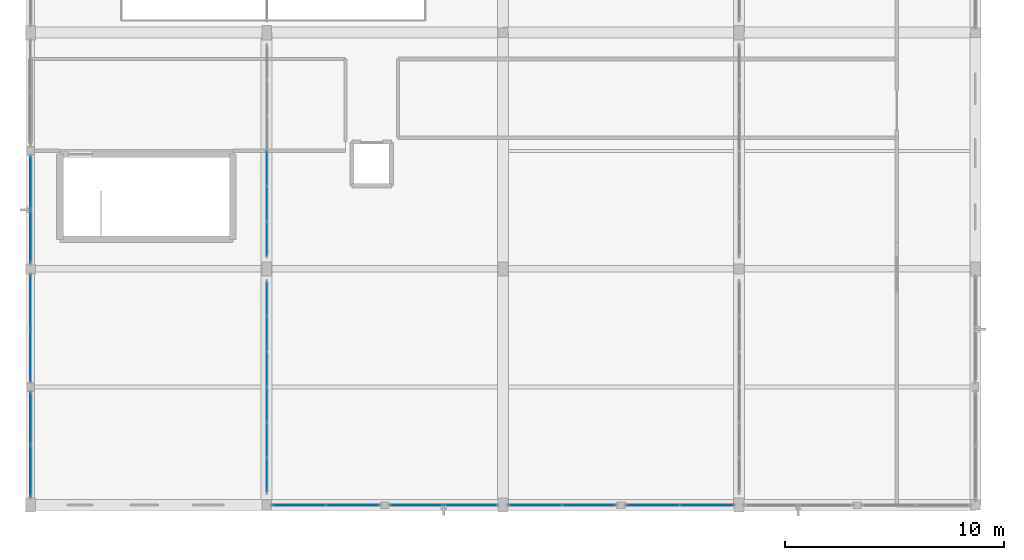
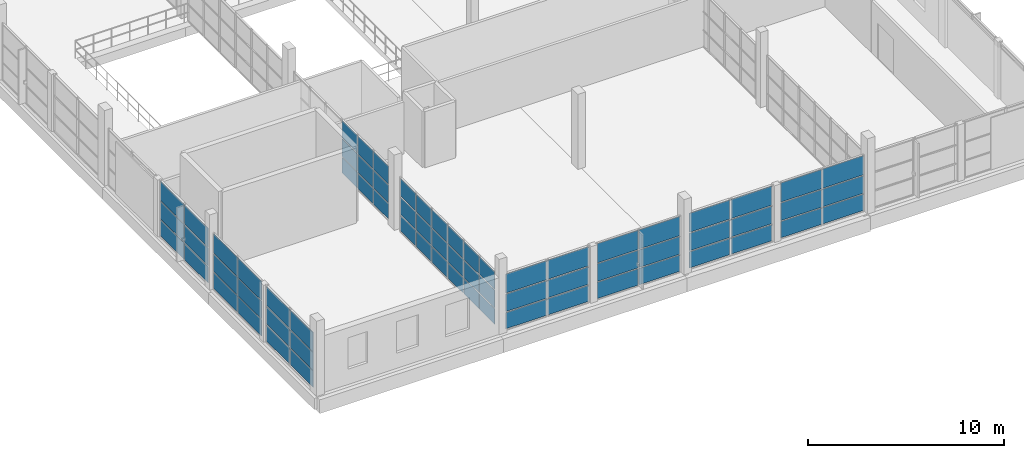
# One storey, part 80 of 142: 69 plates, 9 elements without a shape of their own.
"""IFC4 building model written with IfcOpenShell, lengths in metres."""

import ifcopenshell
import ifcopenshell.guid

model = None  # the IFC model being written
_history = None  # IfcOwnerHistory: only IFC2X3 demands one
_inside = {}  # id of a spatial element -> (the spatial element, [elements in it])
_under = {}  # id of a project, library or spatial element -> (it, [spatial elements below it])
_declared = {}  # id of a project -> (the project, [libraries it declares])
_typed = {}  # id of a type object -> (the type object, [elements of that type])
_made_of = {}  # id of a material, layer set ... -> (it, [elements and type objects made of it])


def new_model(schema):
    """Start an empty IFC model of exactly this schema.

    Asked for "IFC4X3", IfcOpenShell would pick the latest addendum, in which some entities
    have other attributes; the version numbers below select the first issue.
    IFC2X3 requires an IfcOwnerHistory on every rooted entity: one is made here for all.
    """
    global model, _history
    if schema == "IFC4X3":
        model = ifcopenshell.file(schema_version=(4, 3, 0, 0))
    else:
        model = ifcopenshell.file(schema=schema)
    _inside.clear()
    _under.clear()
    _declared.clear()
    _typed.clear()
    _made_of.clear()
    _history = None
    if model.schema == "IFC2X3":
        org = make("IfcOrganization", Name="unknown")
        user = make(
            "IfcPersonAndOrganization",
            ThePerson=make("IfcPerson", FamilyName="unknown"),
            TheOrganization=org,
        )
        app = make(
            "IfcApplication",
            ApplicationDeveloper=org,
            Version="unknown",
            ApplicationFullName="unknown",
            ApplicationIdentifier="unknown",
        )
        _history = make(
            "IfcOwnerHistory",
            OwningUser=user,
            OwningApplication=app,
            ChangeAction="ADDED",
            CreationDate=0,
        )
    return model


def make(cls, **values):
    """One entity of the class cls with the attributes given. An attribute that is None is left unset."""
    return model.create_entity(
        cls, **{name: value for name, value in values.items() if value is not None}
    )


def rooted(cls, **values):
    """An entity with a GlobalId (a new one), such as an element, a storey or a relation."""
    return make(cls, GlobalId=ifcopenshell.guid.new(), OwnerHistory=_history, **values)


def si_unit(unit_type, name, prefix=None):
    """IfcSIUnit, for example si_unit("LENGTHUNIT", "METRE", prefix="MILLI")."""
    return make("IfcSIUnit", UnitType=unit_type, Prefix=prefix, Name=name)


def assignment(units):
    """IfcUnitAssignment: the units of a project."""
    return None if units is None else make("IfcUnitAssignment", Units=units)


def point(xyz):
    """IfcCartesianPoint."""
    return None if xyz is None else make("IfcCartesianPoint", Coordinates=xyz)


def direction(xyz):
    """IfcDirection."""
    return None if xyz is None else make("IfcDirection", DirectionRatios=xyz)


def frame(location, z_axis=None, x_axis=None):
    """IfcAxis2Placement3D, a coordinate frame: its origin and axes. An axis left out is left unset."""
    return make(
        "IfcAxis2Placement3D",
        Location=point(location),
        Axis=direction(z_axis),
        RefDirection=direction(x_axis),
    )


def frame_2d(location, x_axis=None):
    """IfcAxis2Placement2D, a coordinate frame in the plane: its origin and x axis."""
    return make(
        "IfcAxis2Placement2D", Location=point(location), RefDirection=direction(x_axis)
    )


def origin():
    """The frame at (0, 0, 0) with its axes left unset."""
    return frame((0.0, 0.0, 0.0))


def origin_2d():
    """The frame at (0, 0) in the plane with its x axis left unset."""
    return frame_2d((0.0, 0.0))


def place(relative_to, where):
    """IfcLocalPlacement: puts the frame where relative to a parent placement (None: the world)."""
    return make(
        "IfcLocalPlacement", PlacementRelTo=relative_to, RelativePlacement=where
    )


def context(
    kind, dimensions, precision=None, world=None, true_north=None, identifier=None
):
    """IfcGeometricRepresentationContext, for example the 3D "Model" context."""
    return make(
        "IfcGeometricRepresentationContext",
        ContextIdentifier=identifier,
        ContextType=kind,
        CoordinateSpaceDimension=dimensions,
        Precision=precision,
        WorldCoordinateSystem=world,
        TrueNorth=true_north,
    )


def subcontext(parent, identifier, kind, view, scale=None):
    """IfcGeometricRepresentationSubContext, for example "Body" below "Model"."""
    return make(
        "IfcGeometricRepresentationSubContext",
        ContextIdentifier=identifier,
        ContextType=kind,
        ParentContext=parent,
        TargetScale=scale,
        TargetView=view,
    )


def project(units=None, contexts=None):
    """IfcProject with its units and contexts."""
    return rooted(
        "IfcProject",
        Name="project",
        RepresentationContexts=contexts,
        UnitsInContext=assignment(units),
    )


def spatial(cls, under=None, at=None, **own):
    """A site, building, storey or space (cls), placed at a placement, below another one or the project."""
    s = rooted(cls, ObjectPlacement=at, **own)
    if under is not None:
        _under.setdefault(under.id(), (under, []))[1].append(s)
    return s


def profile(cls, at=None, kind="AREA", **sizes):
    """A parametric profile (cls). Its sizes go by their IFC names, for example OverallWidth=200.0."""
    return make(cls, ProfileType=kind, Position=at, **sizes)


def rectangle(**sizes):
    """IfcRectangleProfileDef."""
    return profile("IfcRectangleProfileDef", **sizes)


def extrude(swept, where, along, depth):
    """IfcExtrudedAreaSolid: the profile swept, set in the frame where, extruded along a direction by depth."""
    return make(
        "IfcExtrudedAreaSolid",
        SweptArea=swept,
        Position=where,
        ExtrudedDirection=direction(along),
        Depth=depth,
    )


def shape(context_of_items, identifier, shape_type, items):
    """IfcShapeRepresentation: the items that make up one representation, for example the "Body"."""
    return make(
        "IfcShapeRepresentation",
        ContextOfItems=context_of_items,
        RepresentationIdentifier=identifier,
        RepresentationType=shape_type,
        Items=items,
    )


def material(Name=None, Category=None):
    """IfcMaterial."""
    return make("IfcMaterial", Name=Name, Category=Category)


def layer(
    of_material, thickness, ventilated=None, Name=None, Category=None, Priority=None
):
    """IfcMaterialLayer: one layer of a wall or slab, of a material (None: an air gap)."""
    return make(
        "IfcMaterialLayer",
        Material=of_material,
        LayerThickness=thickness,
        IsVentilated=ventilated,
        Name=Name,
        Category=Category,
        Priority=Priority,
    )


def layer_set(layers, Name=None):
    """IfcMaterialLayerSet."""
    return make("IfcMaterialLayerSet", MaterialLayers=layers, LayerSetName=Name)


def made_of(thing, what):
    """Note that an element or type object is made of a material, layer set ...; save() writes the relation."""
    if what is not None:
        _made_of.setdefault(what.id(), (what, []))[1].append(thing)
    return thing


def type_object(cls, material=None, **own):
    """A type object (cls), such as IfcWallType, which elements share."""
    return made_of(rooted(cls, **own), material)


def element(
    cls,
    number,
    at=None,
    inside=None,
    cuts=None,
    type_object=None,
    material=None,
    context=None,
    identifier="Body",
    shape_type=None,
    held_by="IfcProductDefinitionShape",
    body=None,
    shapes=None,
    **own,
):
    """One element of the class cls, such as IfcWall. Its Tag is "e" and its number.

    at: its placement. inside: the storey or other place that contains it. cuts: it is an
    opening in that element (IfcRelVoidsElement). A single representation is given by context,
    identifier, shape_type and body (its items); several are given by shapes. held_by: the class
    of the entity that holds the representations. save() writes the other relations.
    """
    e = rooted(cls, Tag="e%d" % number, ObjectPlacement=at, **own)
    if body is not None:
        shapes = [shape(context, identifier, shape_type, body)]
    if shapes is not None:
        e.Representation = make(held_by, Representations=shapes)
    if inside is not None:
        _inside.setdefault(inside.id(), (inside, []))[1].append(e)
    if cuts is not None:
        rooted(
            "IfcRelVoidsElement", RelatingBuildingElement=cuts, RelatedOpeningElement=e
        )
    if type_object is not None:
        _typed.setdefault(type_object.id(), (type_object, []))[1].append(e)
    return made_of(e, material)


def aggregate(whole, parts):
    """IfcRelAggregates: a whole, such as a stair, and the parts it consists of."""
    return rooted("IfcRelAggregates", RelatingObject=whole, RelatedObjects=parts)


def save(model, path):
    """Write the relations noted so far, then the file.

    IfcRelAggregates (storeys below a building ...), IfcRelContainedInSpatialStructure (elements
    in a storey), IfcRelDefinesByType, IfcRelAssociatesMaterial and IfcRelDeclares: one each for
    every whole, place, type object, material and project.
    """
    for whole, parts in _under.values():
        aggregate(whole, parts)
    for where, things in _inside.values():
        rooted(
            "IfcRelContainedInSpatialStructure",
            RelatedElements=things,
            RelatingStructure=where,
        )
    for kind, things in _typed.values():
        rooted("IfcRelDefinesByType", RelatedObjects=things, RelatingType=kind)
    for what, things in _made_of.values():
        rooted("IfcRelAssociatesMaterial", RelatedObjects=things, RelatingMaterial=what)
    for by, libraries in _declared.values():
        rooted("IfcRelDeclares", RelatingContext=by, RelatedDefinitions=libraries)
    model.write(path)


model = new_model("IFC4")

# Units and contexts
model_context = context("Model", 3, precision=1e-05, world=origin(), true_north=direction((0.0, 1.0)))
body_context = subcontext(model_context, "Body", "Model", "MODEL_VIEW")
ifc_project = project(units=[si_unit("LENGTHUNIT", "METRE"), si_unit("AREAUNIT", "SQUARE_METRE"), si_unit("VOLUMEUNIT", "CUBIC_METRE"), si_unit("PLANEANGLEUNIT", "RADIAN"), si_unit("MASSUNIT", "GRAM", prefix="KILO")], contexts=[model_context])

# Site, building, storey
site_placement = place(None, origin())
site = spatial("IfcSite", under=ifc_project, at=site_placement, CompositionType="ELEMENT")
building_placement = place(site_placement, origin())
building = spatial("IfcBuilding", under=site, at=building_placement, Name="Zwinboog Wholesale Market", CompositionType="ELEMENT")
storey_placement = place(building_placement, frame((0.0, 0.0, 5.39990234375)))
storey = spatial("IfcBuildingStorey", under=building, at=storey_placement, Name="L01", CompositionType="ELEMENT", Elevation=5.39990234375)

# Curtain wall, plates
ifc_material_1 = material(Name="Aluminium thermally broken curtain wall", Category="aluminium")
curtain_wall_type_1 = type_object("IfcCurtainWallType", Name="CWT-STALL-18", PredefinedType="USERDEFINED", material=ifc_material_1)
curtain_wall_1_placement = place(storey_placement, origin())
curtain_wall_1 = element("IfcCurtainWall", 1, at=curtain_wall_1_placement, inside=storey, type_object=curtain_wall_type_1, Name="CW-01 (CW-L01-049)", ObjectType="STOREFRONT_GLAZING", PredefinedType="USERDEFINED")
ifc_material_2 = material(Name="Double low-e insulated glazing", Category="glass")
ifc_layer_1 = layer(ifc_material_2, 0.031982421875)
ifc_layer_set_1 = layer_set([ifc_layer_1], Name="Double low-e insulated glazing")
plate_type_1 = type_object("IfcPlateType", Name="CWP-IGU-32", PredefinedType="CURTAIN_PANEL", material=ifc_layer_set_1)
plate_1_placement = place(storey_placement, frame((0.0, 1.55615234375, 0.065185546875), z_axis=(0.0, 0.0, 1.0), x_axis=(0.0, 1.0, 0.0)))
plate_1 = element("IfcPlate", 2, at=plate_1_placement, type_object=plate_type_1, Name="CW-01 panel 1.1", PredefinedType="CURTAIN_PANEL", context=body_context, shape_type="SweptSolid", body=[
    extrude(rectangle(XDim=2.342529296875, YDim=0.031982421875, at=origin_2d()), origin(), (0.0, 0.0, 1.0), 1.00244140625),
])
plate_2_placement = place(storey_placement, frame((0.0, 1.55615234375, 1.132568359375), z_axis=(0.0, 0.0, 1.0), x_axis=(0.0, 1.0, 0.0)))
plate_2 = element("IfcPlate", 3, at=plate_2_placement, type_object=plate_type_1, Name="CW-01 panel 1.2", PredefinedType="CURTAIN_PANEL", context=body_context, shape_type="SweptSolid", body=[
    extrude(rectangle(XDim=2.342529296875, YDim=0.031982421875, at=origin_2d()), origin(), (0.0, 0.0, 1.0), 1.0849609375),
])
plate_3_placement = place(storey_placement, frame((0.0, 1.55615234375, 2.282470703125), z_axis=(0.0, 0.0, 1.0), x_axis=(0.0, 1.0, 0.0)))
plate_3 = element("IfcPlate", 4, at=plate_3_placement, type_object=plate_type_1, Name="CW-01 panel 1.3", PredefinedType="CURTAIN_PANEL", context=body_context, shape_type="SweptSolid", body=[
    extrude(rectangle(XDim=2.342529296875, YDim=0.031982421875, at=origin_2d()), origin(), (0.0, 0.0, 1.0), 1.1826171875),
])
plate_4_placement = place(storey_placement, frame((0.0, 3.9638671875, 0.065185546875), z_axis=(0.0, 0.0, 1.0), x_axis=(0.0, 1.0, 0.0)))
plate_4 = element("IfcPlate", 5, at=plate_4_placement, type_object=plate_type_1, Name="CW-01 panel 2.1", PredefinedType="CURTAIN_PANEL", context=body_context, shape_type="SweptSolid", body=[
    extrude(rectangle(XDim=2.342529296875, YDim=0.031982421875, at=origin_2d()), origin(), (0.0, 0.0, 1.0), 1.00244140625),
])
plate_5_placement = place(storey_placement, frame((0.0, 3.9638671875, 1.132568359375), z_axis=(0.0, 0.0, 1.0), x_axis=(0.0, 1.0, 0.0)))
plate_5 = element("IfcPlate", 6, at=plate_5_placement, type_object=plate_type_1, Name="CW-01 panel 2.2", PredefinedType="CURTAIN_PANEL", context=body_context, shape_type="SweptSolid", body=[
    extrude(rectangle(XDim=2.342529296875, YDim=0.031982421875, at=origin_2d()), origin(), (0.0, 0.0, 1.0), 1.0849609375),
])
plate_6_placement = place(storey_placement, frame((0.0, 3.9638671875, 2.282470703125), z_axis=(0.0, 0.0, 1.0), x_axis=(0.0, 1.0, 0.0)))
plate_6 = element("IfcPlate", 7, at=plate_6_placement, type_object=plate_type_1, Name="CW-01 panel 2.3", PredefinedType="CURTAIN_PANEL", context=body_context, shape_type="SweptSolid", body=[
    extrude(rectangle(XDim=2.342529296875, YDim=0.031982421875, at=origin_2d()), origin(), (0.0, 0.0, 1.0), 1.1826171875),
])
aggregate(curtain_wall_1, [plate_1, plate_2, plate_3, plate_4, plate_5, plate_6])

curtain_wall_type_2 = type_object("IfcCurtainWallType", Name="CWT-STALL-20", PredefinedType="USERDEFINED", material=ifc_material_1)
curtain_wall_2_placement = place(storey_placement, origin())
curtain_wall_2 = element("IfcCurtainWall", 8, at=curtain_wall_2_placement, inside=storey, type_object=curtain_wall_type_2, Name="CW-02 (CW-L01-050)", ObjectType="STOREFRONT_GLAZING", PredefinedType="USERDEFINED")
plate_7_placement = place(storey_placement, frame((0.0, 6.860107421875, 0.06005859375), z_axis=(0.0, 0.0, 1.0), x_axis=(0.0, 1.0, 0.0)))
plate_7 = element("IfcPlate", 9, at=plate_7_placement, type_object=plate_type_1, Name="CW-02 panel 1.1", PredefinedType="CURTAIN_PANEL", context=body_context, shape_type="SweptSolid", body=[
    extrude(rectangle(XDim=2.39990234375, YDim=0.031982421875, at=origin_2d()), origin(), (0.0, 0.0, 1.0), 1.010009765625),
])
plate_8_placement = place(storey_placement, frame((0.0, 6.860107421875, 1.1298828125), z_axis=(0.0, 0.0, 1.0), x_axis=(0.0, 1.0, 0.0)))
plate_8 = element("IfcPlate", 10, at=plate_8_placement, type_object=plate_type_1, Name="CW-02 panel 1.2", PredefinedType="CURTAIN_PANEL", context=body_context, shape_type="SweptSolid", body=[
    extrude(rectangle(XDim=2.39990234375, YDim=0.031982421875, at=origin_2d()), origin(), (0.0, 0.0, 1.0), 1.090087890625),
])
plate_9_placement = place(storey_placement, frame((0.0, 6.860107421875, 2.280029296875), z_axis=(0.0, 0.0, 1.0), x_axis=(0.0, 1.0, 0.0)))
plate_9 = element("IfcPlate", 11, at=plate_9_placement, type_object=plate_type_1, Name="CW-02 panel 1.3", PredefinedType="CURTAIN_PANEL", context=body_context, shape_type="SweptSolid", body=[
    extrude(rectangle(XDim=2.39990234375, YDim=0.031982421875, at=origin_2d()), origin(), (0.0, 0.0, 1.0), 1.18994140625),
])
plate_10_placement = place(storey_placement, frame((0.0, 9.320068359375, 0.06005859375), z_axis=(0.0, 0.0, 1.0), x_axis=(0.0, 1.0, 0.0)))
plate_10 = element("IfcPlate", 12, at=plate_10_placement, type_object=plate_type_1, Name="CW-02 panel 2.1", PredefinedType="CURTAIN_PANEL", context=body_context, shape_type="SweptSolid", body=[
    extrude(rectangle(XDim=2.39990234375, YDim=0.031982421875, at=origin_2d()), origin(), (0.0, 0.0, 1.0), 1.010009765625),
])
plate_11_placement = place(storey_placement, frame((0.0, 9.320068359375, 1.1298828125), z_axis=(0.0, 0.0, 1.0), x_axis=(0.0, 1.0, 0.0)))
plate_11 = element("IfcPlate", 13, at=plate_11_placement, type_object=plate_type_1, Name="CW-02 panel 2.2", PredefinedType="CURTAIN_PANEL", context=body_context, shape_type="SweptSolid", body=[
    extrude(rectangle(XDim=2.39990234375, YDim=0.031982421875, at=origin_2d()), origin(), (0.0, 0.0, 1.0), 1.090087890625),
])
plate_12_placement = place(storey_placement, frame((0.0, 9.320068359375, 2.280029296875), z_axis=(0.0, 0.0, 1.0), x_axis=(0.0, 1.0, 0.0)))
plate_12 = element("IfcPlate", 14, at=plate_12_placement, type_object=plate_type_1, Name="CW-02 panel 2.3", PredefinedType="CURTAIN_PANEL", context=body_context, shape_type="SweptSolid", body=[
    extrude(rectangle(XDim=2.39990234375, YDim=0.031982421875, at=origin_2d()), origin(), (0.0, 0.0, 1.0), 1.18994140625),
])
aggregate(curtain_wall_2, [plate_7, plate_8, plate_9, plate_10, plate_11, plate_12])

curtain_wall_type_3 = type_object("IfcCurtainWallType", Name="CWT-HALL-24", PredefinedType="USERDEFINED", material=ifc_material_1)
curtain_wall_3_placement = place(storey_placement, origin())
curtain_wall_3 = element("IfcCurtainWall", 15, at=curtain_wall_3_placement, inside=storey, type_object=curtain_wall_type_3, Name="CW-03 (CW-L01-051)", ObjectType="UNITIZED_CURTAIN_WALL", PredefinedType="USERDEFINED")
plate_13_placement = place(storey_placement, frame((0.0, 12.28125, 0.065185546875), z_axis=(0.0, 0.0, 1.0), x_axis=(0.0, 1.0, 0.0)))
plate_13 = element("IfcPlate", 16, at=plate_13_placement, type_object=plate_type_1, Name="CW-03 panel 1.1", PredefinedType="CURTAIN_PANEL", context=body_context, shape_type="SweptSolid", body=[
    extrude(rectangle(XDim=2.392578125, YDim=0.031982421875, at=origin_2d()), origin(), (0.0, 0.0, 1.0), 1.00244140625),
])
plate_14_placement = place(storey_placement, frame((0.0, 12.28125, 1.132568359375), z_axis=(0.0, 0.0, 1.0), x_axis=(0.0, 1.0, 0.0)))
plate_14 = element("IfcPlate", 17, at=plate_14_placement, type_object=plate_type_1, Name="CW-03 panel 1.2", PredefinedType="CURTAIN_PANEL", context=body_context, shape_type="SweptSolid", body=[
    extrude(rectangle(XDim=2.392578125, YDim=0.031982421875, at=origin_2d()), origin(), (0.0, 0.0, 1.0), 1.0849609375),
])
plate_15_placement = place(storey_placement, frame((0.0, 12.28125, 2.282470703125), z_axis=(0.0, 0.0, 1.0), x_axis=(0.0, 1.0, 0.0)))
plate_15 = element("IfcPlate", 18, at=plate_15_placement, type_object=plate_type_1, Name="CW-03 panel 1.3", PredefinedType="CURTAIN_PANEL", context=body_context, shape_type="SweptSolid", body=[
    extrude(rectangle(XDim=2.392578125, YDim=0.031982421875, at=origin_2d()), origin(), (0.0, 0.0, 1.0), 1.1826171875),
])
plate_16_placement = place(storey_placement, frame((0.0, 14.73876953125, 0.065185546875), z_axis=(0.0, 0.0, 1.0), x_axis=(0.0, 1.0, 0.0)))
plate_16 = element("IfcPlate", 19, at=plate_16_placement, type_object=plate_type_1, Name="CW-03 panel 2.1", PredefinedType="CURTAIN_PANEL", context=body_context, shape_type="SweptSolid", body=[
    extrude(rectangle(XDim=2.392578125, YDim=0.031982421875, at=origin_2d()), origin(), (0.0, 0.0, 1.0), 1.00244140625),
])
plate_17_placement = place(storey_placement, frame((0.0, 14.73876953125, 1.132568359375), z_axis=(0.0, 0.0, 1.0), x_axis=(0.0, 1.0, 0.0)))
plate_17 = element("IfcPlate", 20, at=plate_17_placement, type_object=plate_type_1, Name="CW-03 panel 2.2", PredefinedType="CURTAIN_PANEL", context=body_context, shape_type="SweptSolid", body=[
    extrude(rectangle(XDim=2.392578125, YDim=0.031982421875, at=origin_2d()), origin(), (0.0, 0.0, 1.0), 1.0849609375),
])
plate_18_placement = place(storey_placement, frame((0.0, 14.73876953125, 2.282470703125), z_axis=(0.0, 0.0, 1.0), x_axis=(0.0, 1.0, 0.0)))
plate_18 = element("IfcPlate", 21, at=plate_18_placement, type_object=plate_type_1, Name="CW-03 panel 2.3", PredefinedType="CURTAIN_PANEL", context=body_context, shape_type="SweptSolid", body=[
    extrude(rectangle(XDim=2.392578125, YDim=0.031982421875, at=origin_2d()), origin(), (0.0, 0.0, 1.0), 1.1826171875),
])
aggregate(curtain_wall_3, [plate_13, plate_14, plate_15, plate_16, plate_17, plate_18])

curtain_wall_type_4 = type_object("IfcCurtainWallType", Name="CWT-CAFE-22", PredefinedType="USERDEFINED", material=ifc_material_1)
curtain_wall_4_placement = place(storey_placement, origin())
curtain_wall_4 = element("IfcCurtainWall", 22, at=curtain_wall_4_placement, inside=storey, type_object=curtain_wall_type_4, Name="CW-05 (CW-L01-065)", ObjectType="STOREFRONT_GLAZING", PredefinedType="USERDEFINED")
plate_19_placement = place(storey_placement, frame((12.28125, 0.0, 0.065185546875), z_axis=(0.0, 0.0, 1.0), x_axis=(1.0, 0.0, 0.0)))
plate_19 = element("IfcPlate", 23, at=plate_19_placement, type_object=plate_type_1, Name="CW-05 panel 1.1", PredefinedType="CURTAIN_PANEL", context=body_context, shape_type="SweptSolid", body=[
    extrude(rectangle(XDim=2.392578125, YDim=0.031982421875, at=origin_2d()), origin(), (0.0, 0.0, 1.0), 1.00244140625),
])
plate_20_placement = place(storey_placement, frame((12.28125, 0.0, 1.132568359375), z_axis=(0.0, 0.0, 1.0), x_axis=(1.0, 0.0, 0.0)))
plate_20 = element("IfcPlate", 24, at=plate_20_placement, type_object=plate_type_1, Name="CW-05 panel 1.2", PredefinedType="CURTAIN_PANEL", context=body_context, shape_type="SweptSolid", body=[
    extrude(rectangle(XDim=2.392578125, YDim=0.031982421875, at=origin_2d()), origin(), (0.0, 0.0, 1.0), 1.0849609375),
])
plate_21_placement = place(storey_placement, frame((12.28125, 0.0, 2.282470703125), z_axis=(0.0, 0.0, 1.0), x_axis=(1.0, 0.0, 0.0)))
plate_21 = element("IfcPlate", 25, at=plate_21_placement, type_object=plate_type_1, Name="CW-05 panel 1.3", PredefinedType="CURTAIN_PANEL", context=body_context, shape_type="SweptSolid", body=[
    extrude(rectangle(XDim=2.392578125, YDim=0.031982421875, at=origin_2d()), origin(), (0.0, 0.0, 1.0), 1.1826171875),
])
plate_22_placement = place(storey_placement, frame((14.73876953125, 0.0, 0.065185546875), z_axis=(0.0, 0.0, 1.0), x_axis=(1.0, 0.0, 0.0)))
plate_22 = element("IfcPlate", 26, at=plate_22_placement, type_object=plate_type_1, Name="CW-05 panel 2.1", PredefinedType="CURTAIN_PANEL", context=body_context, shape_type="SweptSolid", body=[
    extrude(rectangle(XDim=2.392578125, YDim=0.031982421875, at=origin_2d()), origin(), (0.0, 0.0, 1.0), 1.00244140625),
])
plate_23_placement = place(storey_placement, frame((14.73876953125, 0.0, 1.132568359375), z_axis=(0.0, 0.0, 1.0), x_axis=(1.0, 0.0, 0.0)))
plate_23 = element("IfcPlate", 27, at=plate_23_placement, type_object=plate_type_1, Name="CW-05 panel 2.2", PredefinedType="CURTAIN_PANEL", context=body_context, shape_type="SweptSolid", body=[
    extrude(rectangle(XDim=2.392578125, YDim=0.031982421875, at=origin_2d()), origin(), (0.0, 0.0, 1.0), 1.0849609375),
])
plate_24_placement = place(storey_placement, frame((14.73876953125, 0.0, 2.282470703125), z_axis=(0.0, 0.0, 1.0), x_axis=(1.0, 0.0, 0.0)))
plate_24 = element("IfcPlate", 28, at=plate_24_placement, type_object=plate_type_1, Name="CW-05 panel 2.3", PredefinedType="CURTAIN_PANEL", context=body_context, shape_type="SweptSolid", body=[
    extrude(rectangle(XDim=2.392578125, YDim=0.031982421875, at=origin_2d()), origin(), (0.0, 0.0, 1.0), 1.1826171875),
])
aggregate(curtain_wall_4, [plate_19, plate_20, plate_21, plate_22, plate_23, plate_24])

curtain_wall_type_5 = type_object("IfcCurtainWallType", Name="CWT-OFF-15", PredefinedType="USERDEFINED", material=ifc_material_1)
curtain_wall_5_placement = place(storey_placement, origin())
curtain_wall_5 = element("IfcCurtainWall", 29, at=curtain_wall_5_placement, inside=storey, type_object=curtain_wall_type_5, Name="CW-06 (CW-L01-066)", ObjectType="UNITIZED_CURTAIN_WALL", PredefinedType="USERDEFINED")
plate_25_placement = place(storey_placement, frame((17.659912109375, 0.0, 0.06005859375), z_axis=(0.0, 0.0, 1.0), x_axis=(1.0, 0.0, 0.0)))
plate_25 = element("IfcPlate", 30, at=plate_25_placement, type_object=plate_type_1, Name="CW-06 panel 1.1", PredefinedType="CURTAIN_PANEL", context=body_context, shape_type="SweptSolid", body=[
    extrude(rectangle(XDim=2.39990234375, YDim=0.031982421875, at=origin_2d()), origin(), (0.0, 0.0, 1.0), 1.010009765625),
])
plate_26_placement = place(storey_placement, frame((17.659912109375, 0.0, 1.1298828125), z_axis=(0.0, 0.0, 1.0), x_axis=(1.0, 0.0, 0.0)))
plate_26 = element("IfcPlate", 31, at=plate_26_placement, type_object=plate_type_1, Name="CW-06 panel 1.2", PredefinedType="CURTAIN_PANEL", context=body_context, shape_type="SweptSolid", body=[
    extrude(rectangle(XDim=2.39990234375, YDim=0.031982421875, at=origin_2d()), origin(), (0.0, 0.0, 1.0), 1.090087890625),
])
plate_27_placement = place(storey_placement, frame((17.659912109375, 0.0, 2.280029296875), z_axis=(0.0, 0.0, 1.0), x_axis=(1.0, 0.0, 0.0)))
plate_27 = element("IfcPlate", 32, at=plate_27_placement, type_object=plate_type_1, Name="CW-06 panel 1.3", PredefinedType="CURTAIN_PANEL", context=body_context, shape_type="SweptSolid", body=[
    extrude(rectangle(XDim=2.39990234375, YDim=0.031982421875, at=origin_2d()), origin(), (0.0, 0.0, 1.0), 1.18994140625),
])
plate_28_placement = place(storey_placement, frame((20.1201171875, 0.0, 0.06005859375), z_axis=(0.0, 0.0, 1.0), x_axis=(1.0, 0.0, 0.0)))
plate_28 = element("IfcPlate", 33, at=plate_28_placement, type_object=plate_type_1, Name="CW-06 panel 2.1", PredefinedType="CURTAIN_PANEL", context=body_context, shape_type="SweptSolid", body=[
    extrude(rectangle(XDim=2.39990234375, YDim=0.031982421875, at=origin_2d()), origin(), (0.0, 0.0, 1.0), 1.010009765625),
])
plate_29_placement = place(storey_placement, frame((20.1201171875, 0.0, 1.1298828125), z_axis=(0.0, 0.0, 1.0), x_axis=(1.0, 0.0, 0.0)))
plate_29 = element("IfcPlate", 34, at=plate_29_placement, type_object=plate_type_1, Name="CW-06 panel 2.2", PredefinedType="CURTAIN_PANEL", context=body_context, shape_type="SweptSolid", body=[
    extrude(rectangle(XDim=2.39990234375, YDim=0.031982421875, at=origin_2d()), origin(), (0.0, 0.0, 1.0), 1.090087890625),
])
plate_30_placement = place(storey_placement, frame((20.1201171875, 0.0, 2.280029296875), z_axis=(0.0, 0.0, 1.0), x_axis=(1.0, 0.0, 0.0)))
plate_30 = element("IfcPlate", 35, at=plate_30_placement, type_object=plate_type_1, Name="CW-06 panel 2.3", PredefinedType="CURTAIN_PANEL", context=body_context, shape_type="SweptSolid", body=[
    extrude(rectangle(XDim=2.39990234375, YDim=0.031982421875, at=origin_2d()), origin(), (0.0, 0.0, 1.0), 1.18994140625),
])
aggregate(curtain_wall_5, [plate_25, plate_26, plate_27, plate_28, plate_29, plate_30])

curtain_wall_6_placement = place(storey_placement, origin())
curtain_wall_6 = element("IfcCurtainWall", 36, at=curtain_wall_6_placement, inside=storey, type_object=curtain_wall_type_1, Name="CW-01 (CW-L01-067)", ObjectType="STOREFRONT_GLAZING", PredefinedType="USERDEFINED")
plate_31_placement = place(storey_placement, frame((23.081298828125, 0.0, 0.065185546875), z_axis=(0.0, 0.0, 1.0), x_axis=(1.0, 0.0, 0.0)))
plate_31 = element("IfcPlate", 37, at=plate_31_placement, type_object=plate_type_1, Name="CW-01 panel 1.1", PredefinedType="CURTAIN_PANEL", context=body_context, shape_type="SweptSolid", body=[
    extrude(rectangle(XDim=2.392578125, YDim=0.031982421875, at=origin_2d()), origin(), (0.0, 0.0, 1.0), 1.00244140625),
])
plate_32_placement = place(storey_placement, frame((23.081298828125, 0.0, 1.132568359375), z_axis=(0.0, 0.0, 1.0), x_axis=(1.0, 0.0, 0.0)))
plate_32 = element("IfcPlate", 38, at=plate_32_placement, type_object=plate_type_1, Name="CW-01 panel 1.2", PredefinedType="CURTAIN_PANEL", context=body_context, shape_type="SweptSolid", body=[
    extrude(rectangle(XDim=2.392578125, YDim=0.031982421875, at=origin_2d()), origin(), (0.0, 0.0, 1.0), 1.0849609375),
])
plate_33_placement = place(storey_placement, frame((23.081298828125, 0.0, 2.282470703125), z_axis=(0.0, 0.0, 1.0), x_axis=(1.0, 0.0, 0.0)))
plate_33 = element("IfcPlate", 39, at=plate_33_placement, type_object=plate_type_1, Name="CW-01 panel 1.3", PredefinedType="CURTAIN_PANEL", context=body_context, shape_type="SweptSolid", body=[
    extrude(rectangle(XDim=2.392578125, YDim=0.031982421875, at=origin_2d()), origin(), (0.0, 0.0, 1.0), 1.1826171875),
])
plate_34_placement = place(storey_placement, frame((25.538818359375, 0.0, 0.065185546875), z_axis=(0.0, 0.0, 1.0), x_axis=(1.0, 0.0, 0.0)))
plate_34 = element("IfcPlate", 40, at=plate_34_placement, type_object=plate_type_1, Name="CW-01 panel 2.1", PredefinedType="CURTAIN_PANEL", context=body_context, shape_type="SweptSolid", body=[
    extrude(rectangle(XDim=2.392578125, YDim=0.031982421875, at=origin_2d()), origin(), (0.0, 0.0, 1.0), 1.00244140625),
])
plate_35_placement = place(storey_placement, frame((25.538818359375, 0.0, 1.132568359375), z_axis=(0.0, 0.0, 1.0), x_axis=(1.0, 0.0, 0.0)))
plate_35 = element("IfcPlate", 41, at=plate_35_placement, type_object=plate_type_1, Name="CW-01 panel 2.2", PredefinedType="CURTAIN_PANEL", context=body_context, shape_type="SweptSolid", body=[
    extrude(rectangle(XDim=2.392578125, YDim=0.031982421875, at=origin_2d()), origin(), (0.0, 0.0, 1.0), 1.0849609375),
])
plate_36_placement = place(storey_placement, frame((25.538818359375, 0.0, 2.282470703125), z_axis=(0.0, 0.0, 1.0), x_axis=(1.0, 0.0, 0.0)))
plate_36 = element("IfcPlate", 42, at=plate_36_placement, type_object=plate_type_1, Name="CW-01 panel 2.3", PredefinedType="CURTAIN_PANEL", context=body_context, shape_type="SweptSolid", body=[
    extrude(rectangle(XDim=2.392578125, YDim=0.031982421875, at=origin_2d()), origin(), (0.0, 0.0, 1.0), 1.1826171875),
])
aggregate(curtain_wall_6, [plate_31, plate_32, plate_33, plate_34, plate_35, plate_36])

curtain_wall_7_placement = place(storey_placement, origin())
curtain_wall_7 = element("IfcCurtainWall", 43, at=curtain_wall_7_placement, inside=storey, type_object=curtain_wall_type_2, Name="CW-02 (CW-L01-068)", ObjectType="STOREFRONT_GLAZING", PredefinedType="USERDEFINED")
plate_37_placement = place(storey_placement, frame((28.4599609375, 0.0, 0.06005859375), z_axis=(0.0, 0.0, 1.0), x_axis=(1.0, 0.0, 0.0)))
plate_37 = element("IfcPlate", 44, at=plate_37_placement, type_object=plate_type_1, Name="CW-02 panel 1.1", PredefinedType="CURTAIN_PANEL", context=body_context, shape_type="SweptSolid", body=[
    extrude(rectangle(XDim=2.39990234375, YDim=0.031982421875, at=origin_2d()), origin(), (0.0, 0.0, 1.0), 1.010009765625),
])
plate_38_placement = place(storey_placement, frame((28.4599609375, 0.0, 1.1298828125), z_axis=(0.0, 0.0, 1.0), x_axis=(1.0, 0.0, 0.0)))
plate_38 = element("IfcPlate", 45, at=plate_38_placement, type_object=plate_type_1, Name="CW-02 panel 1.2", PredefinedType="CURTAIN_PANEL", context=body_context, shape_type="SweptSolid", body=[
    extrude(rectangle(XDim=2.39990234375, YDim=0.031982421875, at=origin_2d()), origin(), (0.0, 0.0, 1.0), 1.090087890625),
])
plate_39_placement = place(storey_placement, frame((28.4599609375, 0.0, 2.280029296875), z_axis=(0.0, 0.0, 1.0), x_axis=(1.0, 0.0, 0.0)))
plate_39 = element("IfcPlate", 46, at=plate_39_placement, type_object=plate_type_1, Name="CW-02 panel 1.3", PredefinedType="CURTAIN_PANEL", context=body_context, shape_type="SweptSolid", body=[
    extrude(rectangle(XDim=2.39990234375, YDim=0.031982421875, at=origin_2d()), origin(), (0.0, 0.0, 1.0), 1.18994140625),
])
plate_40_placement = place(storey_placement, frame((30.919921875, 0.0, 0.06005859375), z_axis=(0.0, 0.0, 1.0), x_axis=(1.0, 0.0, 0.0)))
plate_40 = element("IfcPlate", 47, at=plate_40_placement, type_object=plate_type_1, Name="CW-02 panel 2.1", PredefinedType="CURTAIN_PANEL", context=body_context, shape_type="SweptSolid", body=[
    extrude(rectangle(XDim=2.39990234375, YDim=0.031982421875, at=origin_2d()), origin(), (0.0, 0.0, 1.0), 1.010009765625),
])
plate_41_placement = place(storey_placement, frame((30.919921875, 0.0, 1.1298828125), z_axis=(0.0, 0.0, 1.0), x_axis=(1.0, 0.0, 0.0)))
plate_41 = element("IfcPlate", 48, at=plate_41_placement, type_object=plate_type_1, Name="CW-02 panel 2.2", PredefinedType="CURTAIN_PANEL", context=body_context, shape_type="SweptSolid", body=[
    extrude(rectangle(XDim=2.39990234375, YDim=0.031982421875, at=origin_2d()), origin(), (0.0, 0.0, 1.0), 1.090087890625),
])
plate_42_placement = place(storey_placement, frame((30.919921875, 0.0, 2.280029296875), z_axis=(0.0, 0.0, 1.0), x_axis=(1.0, 0.0, 0.0)))
plate_42 = element("IfcPlate", 49, at=plate_42_placement, type_object=plate_type_1, Name="CW-02 panel 2.3", PredefinedType="CURTAIN_PANEL", context=body_context, shape_type="SweptSolid", body=[
    extrude(rectangle(XDim=2.39990234375, YDim=0.031982421875, at=origin_2d()), origin(), (0.0, 0.0, 1.0), 1.18994140625),
])
aggregate(curtain_wall_7, [plate_37, plate_38, plate_39, plate_40, plate_41, plate_42])

curtain_wall_type_6 = type_object("IfcCurtainWallType", Name="CWT-INT-STALL", PredefinedType="USERDEFINED", material=ifc_material_1)
curtain_wall_8_placement = place(storey_placement, origin())
curtain_wall_8 = element("IfcCurtainWall", 50, at=curtain_wall_8_placement, inside=storey, type_object=curtain_wall_type_6, Name="CW-07 (CW-STL-255)", ObjectType="STOREFRONT_GLAZING", PredefinedType="USERDEFINED")
ifc_material_3 = material(Name="Tempered laminated market stall glazing", Category="glass")
ifc_layer_2 = layer(ifc_material_3, 0.01611328125)
ifc_layer_set_2 = layer_set([ifc_layer_2], Name="Tempered laminated market stall glazing")
plate_type_2 = type_object("IfcPlateType", Name="CWP-INT-16", PredefinedType="CURTAIN_PANEL", material=ifc_layer_set_2)
plate_43_placement = place(storey_placement, frame((10.800048828125, 1.373291015625, 0.06005859375), z_axis=(0.0, 0.0, 1.0), x_axis=(0.0, 1.0, 0.0)))
plate_43 = element("IfcPlate", 51, at=plate_43_placement, type_object=plate_type_2, Name="CW-07 panel 1.1", PredefinedType="CURTAIN_PANEL", context=body_context, shape_type="SweptSolid", body=[
    extrude(rectangle(XDim=1.526611328125, YDim=0.01611328125, at=origin_2d()), origin(), (0.0, 0.0, 1.0), 0.9599609375),
])
plate_44_placement = place(storey_placement, frame((10.800048828125, 1.373291015625, 1.080078125), z_axis=(0.0, 0.0, 1.0), x_axis=(0.0, 1.0, 0.0)))
plate_44 = element("IfcPlate", 52, at=plate_44_placement, type_object=plate_type_2, Name="CW-07 panel 1.2", PredefinedType="CURTAIN_PANEL", context=body_context, shape_type="SweptSolid", body=[
    extrude(rectangle(XDim=1.526611328125, YDim=0.01611328125, at=origin_2d()), origin(), (0.0, 0.0, 1.0), 1.090087890625),
])
plate_45_placement = place(storey_placement, frame((10.800048828125, 1.373291015625, 2.22998046875), z_axis=(0.0, 0.0, 1.0), x_axis=(0.0, 1.0, 0.0)))
plate_45 = element("IfcPlate", 53, at=plate_45_placement, type_object=plate_type_2, Name="CW-07 panel 1.3", PredefinedType="CURTAIN_PANEL", context=body_context, shape_type="SweptSolid", body=[
    extrude(rectangle(XDim=1.526611328125, YDim=0.01611328125, at=origin_2d()), origin(), (0.0, 0.0, 1.0), 1.110107421875),
])
plate_46_placement = place(storey_placement, frame((10.800048828125, 2.97509765625, 0.06005859375), z_axis=(0.0, 0.0, 1.0), x_axis=(0.0, 1.0, 0.0)))
plate_46 = element("IfcPlate", 54, at=plate_46_placement, type_object=plate_type_2, Name="CW-07 panel 2.1", PredefinedType="CURTAIN_PANEL", context=body_context, shape_type="SweptSolid", body=[
    extrude(rectangle(XDim=1.556640625, YDim=0.01611328125, at=origin_2d()), origin(), (0.0, 0.0, 1.0), 0.9599609375),
])
plate_47_placement = place(storey_placement, frame((10.800048828125, 2.97509765625, 1.080078125), z_axis=(0.0, 0.0, 1.0), x_axis=(0.0, 1.0, 0.0)))
plate_47 = element("IfcPlate", 55, at=plate_47_placement, type_object=plate_type_2, Name="CW-07 panel 2.2", PredefinedType="CURTAIN_PANEL", context=body_context, shape_type="SweptSolid", body=[
    extrude(rectangle(XDim=1.556640625, YDim=0.01611328125, at=origin_2d()), origin(), (0.0, 0.0, 1.0), 1.090087890625),
])
plate_48_placement = place(storey_placement, frame((10.800048828125, 2.97509765625, 2.22998046875), z_axis=(0.0, 0.0, 1.0), x_axis=(0.0, 1.0, 0.0)))
plate_48 = element("IfcPlate", 56, at=plate_48_placement, type_object=plate_type_2, Name="CW-07 panel 2.3", PredefinedType="CURTAIN_PANEL", context=body_context, shape_type="SweptSolid", body=[
    extrude(rectangle(XDim=1.556640625, YDim=0.01611328125, at=origin_2d()), origin(), (0.0, 0.0, 1.0), 1.110107421875),
])
plate_49_placement = place(storey_placement, frame((10.800048828125, 4.591552734375, 0.06005859375), z_axis=(0.0, 0.0, 1.0), x_axis=(0.0, 1.0, 0.0)))
plate_49 = element("IfcPlate", 57, at=plate_49_placement, type_object=plate_type_2, Name="CW-07 panel 3.1", PredefinedType="CURTAIN_PANEL", context=body_context, shape_type="SweptSolid", body=[
    extrude(rectangle(XDim=1.556640625, YDim=0.01611328125, at=origin_2d()), origin(), (0.0, 0.0, 1.0), 0.9599609375),
])
plate_50_placement = place(storey_placement, frame((10.800048828125, 4.591552734375, 1.080078125), z_axis=(0.0, 0.0, 1.0), x_axis=(0.0, 1.0, 0.0)))
plate_50 = element("IfcPlate", 58, at=plate_50_placement, type_object=plate_type_2, Name="CW-07 panel 3.2", PredefinedType="CURTAIN_PANEL", context=body_context, shape_type="SweptSolid", body=[
    extrude(rectangle(XDim=1.556640625, YDim=0.01611328125, at=origin_2d()), origin(), (0.0, 0.0, 1.0), 1.090087890625),
])
plate_51_placement = place(storey_placement, frame((10.800048828125, 4.591552734375, 2.22998046875), z_axis=(0.0, 0.0, 1.0), x_axis=(0.0, 1.0, 0.0)))
plate_51 = element("IfcPlate", 59, at=plate_51_placement, type_object=plate_type_2, Name="CW-07 panel 3.3", PredefinedType="CURTAIN_PANEL", context=body_context, shape_type="SweptSolid", body=[
    extrude(rectangle(XDim=1.556640625, YDim=0.01611328125, at=origin_2d()), origin(), (0.0, 0.0, 1.0), 1.110107421875),
])
plate_52_placement = place(storey_placement, frame((10.800048828125, 6.208251953125, 0.06005859375), z_axis=(0.0, 0.0, 1.0), x_axis=(0.0, 1.0, 0.0)))
plate_52 = element("IfcPlate", 60, at=plate_52_placement, type_object=plate_type_2, Name="CW-07 panel 4.1", PredefinedType="CURTAIN_PANEL", context=body_context, shape_type="SweptSolid", body=[
    extrude(rectangle(XDim=1.556640625, YDim=0.01611328125, at=origin_2d()), origin(), (0.0, 0.0, 1.0), 0.9599609375),
])
plate_53_placement = place(storey_placement, frame((10.800048828125, 6.208251953125, 1.080078125), z_axis=(0.0, 0.0, 1.0), x_axis=(0.0, 1.0, 0.0)))
plate_53 = element("IfcPlate", 61, at=plate_53_placement, type_object=plate_type_2, Name="CW-07 panel 4.2", PredefinedType="CURTAIN_PANEL", context=body_context, shape_type="SweptSolid", body=[
    extrude(rectangle(XDim=1.556640625, YDim=0.01611328125, at=origin_2d()), origin(), (0.0, 0.0, 1.0), 1.090087890625),
])
plate_54_placement = place(storey_placement, frame((10.800048828125, 6.208251953125, 2.22998046875), z_axis=(0.0, 0.0, 1.0), x_axis=(0.0, 1.0, 0.0)))
plate_54 = element("IfcPlate", 62, at=plate_54_placement, type_object=plate_type_2, Name="CW-07 panel 4.3", PredefinedType="CURTAIN_PANEL", context=body_context, shape_type="SweptSolid", body=[
    extrude(rectangle(XDim=1.556640625, YDim=0.01611328125, at=origin_2d()), origin(), (0.0, 0.0, 1.0), 1.110107421875),
])
plate_55_placement = place(storey_placement, frame((10.800048828125, 7.824951171875, 0.06005859375), z_axis=(0.0, 0.0, 1.0), x_axis=(0.0, 1.0, 0.0)))
plate_55 = element("IfcPlate", 63, at=plate_55_placement, type_object=plate_type_2, Name="CW-07 panel 5.1", PredefinedType="CURTAIN_PANEL", context=body_context, shape_type="SweptSolid", body=[
    extrude(rectangle(XDim=1.556640625, YDim=0.01611328125, at=origin_2d()), origin(), (0.0, 0.0, 1.0), 0.9599609375),
])
plate_56_placement = place(storey_placement, frame((10.800048828125, 7.824951171875, 1.080078125), z_axis=(0.0, 0.0, 1.0), x_axis=(0.0, 1.0, 0.0)))
plate_56 = element("IfcPlate", 64, at=plate_56_placement, type_object=plate_type_2, Name="CW-07 panel 5.2", PredefinedType="CURTAIN_PANEL", context=body_context, shape_type="SweptSolid", body=[
    extrude(rectangle(XDim=1.556640625, YDim=0.01611328125, at=origin_2d()), origin(), (0.0, 0.0, 1.0), 1.090087890625),
])
plate_57_placement = place(storey_placement, frame((10.800048828125, 7.824951171875, 2.22998046875), z_axis=(0.0, 0.0, 1.0), x_axis=(0.0, 1.0, 0.0)))
plate_57 = element("IfcPlate", 65, at=plate_57_placement, type_object=plate_type_2, Name="CW-07 panel 5.3", PredefinedType="CURTAIN_PANEL", context=body_context, shape_type="SweptSolid", body=[
    extrude(rectangle(XDim=1.556640625, YDim=0.01611328125, at=origin_2d()), origin(), (0.0, 0.0, 1.0), 1.110107421875),
])
plate_58_placement = place(storey_placement, frame((10.800048828125, 9.4267578125, 0.06005859375), z_axis=(0.0, 0.0, 1.0), x_axis=(0.0, 1.0, 0.0)))
plate_58 = element("IfcPlate", 66, at=plate_58_placement, type_object=plate_type_2, Name="CW-07 panel 6.1", PredefinedType="CURTAIN_PANEL", context=body_context, shape_type="SweptSolid", body=[
    extrude(rectangle(XDim=1.526611328125, YDim=0.01611328125, at=origin_2d()), origin(), (0.0, 0.0, 1.0), 0.9599609375),
])
plate_59_placement = place(storey_placement, frame((10.800048828125, 9.4267578125, 1.080078125), z_axis=(0.0, 0.0, 1.0), x_axis=(0.0, 1.0, 0.0)))
plate_59 = element("IfcPlate", 67, at=plate_59_placement, type_object=plate_type_2, Name="CW-07 panel 6.2", PredefinedType="CURTAIN_PANEL", context=body_context, shape_type="SweptSolid", body=[
    extrude(rectangle(XDim=1.526611328125, YDim=0.01611328125, at=origin_2d()), origin(), (0.0, 0.0, 1.0), 1.090087890625),
])
plate_60_placement = place(storey_placement, frame((10.800048828125, 9.4267578125, 2.22998046875), z_axis=(0.0, 0.0, 1.0), x_axis=(0.0, 1.0, 0.0)))
plate_60 = element("IfcPlate", 68, at=plate_60_placement, type_object=plate_type_2, Name="CW-07 panel 6.3", PredefinedType="CURTAIN_PANEL", context=body_context, shape_type="SweptSolid", body=[
    extrude(rectangle(XDim=1.526611328125, YDim=0.01611328125, at=origin_2d()), origin(), (0.0, 0.0, 1.0), 1.110107421875),
])
aggregate(curtain_wall_8, [plate_43, plate_44, plate_45, plate_46, plate_47, plate_48, plate_49, plate_50, plate_51, plate_52, plate_53, plate_54, plate_55, plate_56, plate_57, plate_58, plate_59, plate_60])

curtain_wall_9_placement = place(storey_placement, origin())
curtain_wall_9 = element("IfcCurtainWall", 69, at=curtain_wall_9_placement, inside=storey, type_object=curtain_wall_type_6, Name="CW-07 (CW-STL-256)", ObjectType="STOREFRONT_GLAZING", PredefinedType="USERDEFINED")
plate_61_placement = place(storey_placement, frame((10.800048828125, 12.17333984375, 0.06005859375), z_axis=(0.0, 0.0, 1.0), x_axis=(0.0, 1.0, 0.0)))
plate_61 = element("IfcPlate", 70, at=plate_61_placement, type_object=plate_type_2, Name="CW-07 panel 1.1", PredefinedType="CURTAIN_PANEL", context=body_context, shape_type="SweptSolid", body=[
    extrude(rectangle(XDim=1.526611328125, YDim=0.01611328125, at=origin_2d()), origin(), (0.0, 0.0, 1.0), 0.9599609375),
])
plate_62_placement = place(storey_placement, frame((10.800048828125, 12.17333984375, 1.080078125), z_axis=(0.0, 0.0, 1.0), x_axis=(0.0, 1.0, 0.0)))
plate_62 = element("IfcPlate", 71, at=plate_62_placement, type_object=plate_type_2, Name="CW-07 panel 1.2", PredefinedType="CURTAIN_PANEL", context=body_context, shape_type="SweptSolid", body=[
    extrude(rectangle(XDim=1.526611328125, YDim=0.01611328125, at=origin_2d()), origin(), (0.0, 0.0, 1.0), 1.090087890625),
])
plate_63_placement = place(storey_placement, frame((10.800048828125, 12.17333984375, 2.22998046875), z_axis=(0.0, 0.0, 1.0), x_axis=(0.0, 1.0, 0.0)))
plate_63 = element("IfcPlate", 72, at=plate_63_placement, type_object=plate_type_2, Name="CW-07 panel 1.3", PredefinedType="CURTAIN_PANEL", context=body_context, shape_type="SweptSolid", body=[
    extrude(rectangle(XDim=1.526611328125, YDim=0.01611328125, at=origin_2d()), origin(), (0.0, 0.0, 1.0), 1.110107421875),
])
plate_64_placement = place(storey_placement, frame((10.800048828125, 13.77490234375, 0.06005859375), z_axis=(0.0, 0.0, 1.0), x_axis=(0.0, 1.0, 0.0)))
plate_64 = element("IfcPlate", 73, at=plate_64_placement, type_object=plate_type_2, Name="CW-07 panel 2.1", PredefinedType="CURTAIN_PANEL", context=body_context, shape_type="SweptSolid", body=[
    extrude(rectangle(XDim=1.556640625, YDim=0.01611328125, at=origin_2d()), origin(), (0.0, 0.0, 1.0), 0.9599609375),
])
plate_65_placement = place(storey_placement, frame((10.800048828125, 13.77490234375, 1.080078125), z_axis=(0.0, 0.0, 1.0), x_axis=(0.0, 1.0, 0.0)))
plate_65 = element("IfcPlate", 74, at=plate_65_placement, type_object=plate_type_2, Name="CW-07 panel 2.2", PredefinedType="CURTAIN_PANEL", context=body_context, shape_type="SweptSolid", body=[
    extrude(rectangle(XDim=1.556640625, YDim=0.01611328125, at=origin_2d()), origin(), (0.0, 0.0, 1.0), 1.090087890625),
])
plate_66_placement = place(storey_placement, frame((10.800048828125, 13.77490234375, 2.22998046875), z_axis=(0.0, 0.0, 1.0), x_axis=(0.0, 1.0, 0.0)))
plate_66 = element("IfcPlate", 75, at=plate_66_placement, type_object=plate_type_2, Name="CW-07 panel 2.3", PredefinedType="CURTAIN_PANEL", context=body_context, shape_type="SweptSolid", body=[
    extrude(rectangle(XDim=1.556640625, YDim=0.01611328125, at=origin_2d()), origin(), (0.0, 0.0, 1.0), 1.110107421875),
])
plate_67_placement = place(storey_placement, frame((10.800048828125, 15.3916015625, 0.06005859375), z_axis=(0.0, 0.0, 1.0), x_axis=(0.0, 1.0, 0.0)))
plate_67 = element("IfcPlate", 76, at=plate_67_placement, type_object=plate_type_2, Name="CW-07 panel 3.1", PredefinedType="CURTAIN_PANEL", context=body_context, shape_type="SweptSolid", body=[
    extrude(rectangle(XDim=1.556640625, YDim=0.01611328125, at=origin_2d()), origin(), (0.0, 0.0, 1.0), 0.9599609375),
])
plate_68_placement = place(storey_placement, frame((10.800048828125, 15.3916015625, 1.080078125), z_axis=(0.0, 0.0, 1.0), x_axis=(0.0, 1.0, 0.0)))
plate_68 = element("IfcPlate", 77, at=plate_68_placement, type_object=plate_type_2, Name="CW-07 panel 3.2", PredefinedType="CURTAIN_PANEL", context=body_context, shape_type="SweptSolid", body=[
    extrude(rectangle(XDim=1.556640625, YDim=0.01611328125, at=origin_2d()), origin(), (0.0, 0.0, 1.0), 1.090087890625),
])
plate_69_placement = place(storey_placement, frame((10.800048828125, 15.3916015625, 2.22998046875), z_axis=(0.0, 0.0, 1.0), x_axis=(0.0, 1.0, 0.0)))
plate_69 = element("IfcPlate", 78, at=plate_69_placement, type_object=plate_type_2, Name="CW-07 panel 3.3", PredefinedType="CURTAIN_PANEL", context=body_context, shape_type="SweptSolid", body=[
    extrude(rectangle(XDim=1.556640625, YDim=0.01611328125, at=origin_2d()), origin(), (0.0, 0.0, 1.0), 1.110107421875),
])
aggregate(curtain_wall_9, [plate_61, plate_62, plate_63, plate_64, plate_65, plate_66, plate_67, plate_68, plate_69])

save(model, "model.ifc")
